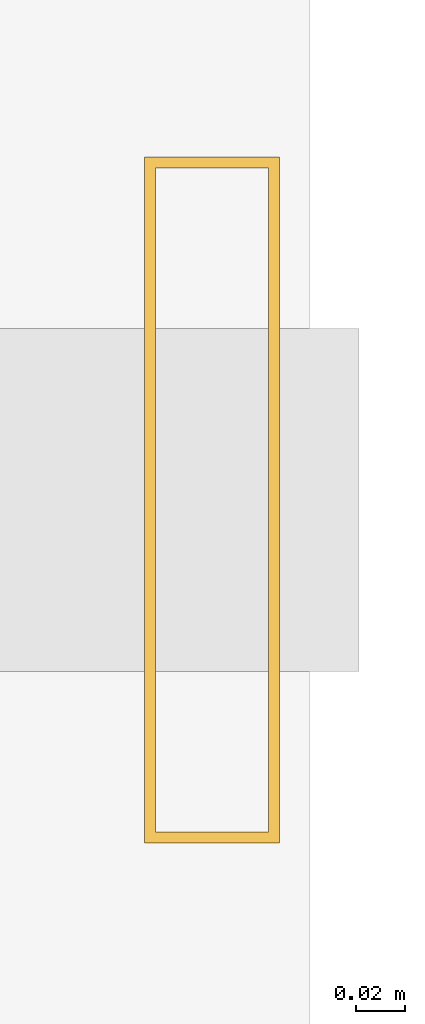
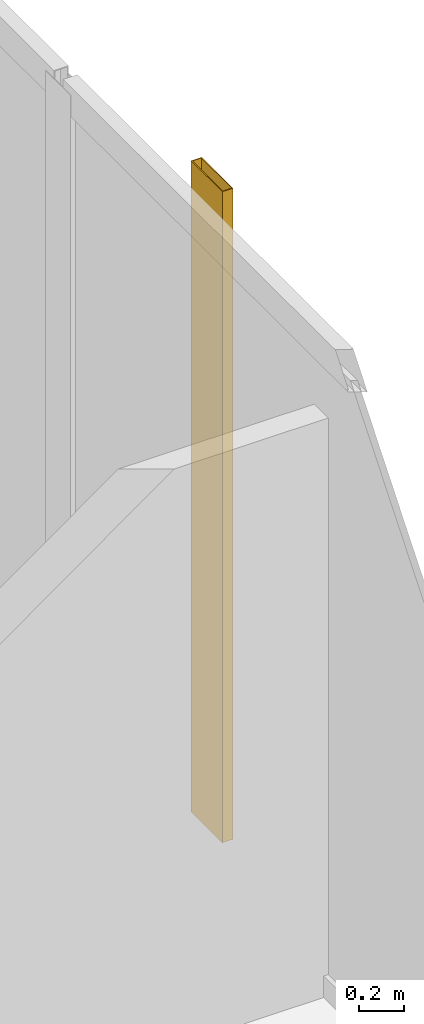
# One storey, part 23 of 23: 1 shading device.
"""IFC4 building model written with IfcOpenShell, lengths in metres."""

from ifc_helpers import new_model, si_unit, direction, frame, origin, origin_2d, place, context, subcontext, project, spatial, hollow_rectangle, extrude, material, material_profile, profile_set, type_object, element, save


model = new_model("IFC4")

# Units and contexts
model_context = context("Model", 3, precision=1e-05, world=origin(), true_north=direction((0.0, 1.0)))
body_context = subcontext(model_context, "Body", "Model", "MODEL_VIEW")
ifc_project = project(units=[si_unit("LENGTHUNIT", "METRE"), si_unit("AREAUNIT", "SQUARE_METRE"), si_unit("VOLUMEUNIT", "CUBIC_METRE"), si_unit("PLANEANGLEUNIT", "RADIAN"), si_unit("MASSUNIT", "GRAM", prefix="KILO")], contexts=[model_context])

# Site, building, storey
site_placement = place(None, origin())
site = spatial("IfcSite", under=ifc_project, at=site_placement, CompositionType="ELEMENT")
building_placement = place(site_placement, origin())
building = spatial("IfcBuilding", under=site, at=building_placement, Name="Kolvaren Waterfront Exchange", CompositionType="ELEMENT")
storey_placement = place(building_placement, frame((0.0, 0.0, 231.10009765625)))
storey = spatial("IfcBuildingStorey", under=building, at=storey_placement, Name="L59", CompositionType="ELEMENT", Elevation=231.10009765625)

# Shading device
ifc_material = material(Name="Anodised bronze aluminium 6063-T6", Category="aluminium")
ifc_material_profile = material_profile(ifc_material, hollow_rectangle(XDim=0.054931640625, YDim=0.280029296875, WallThickness=0.00439453125, at=origin_2d()), Name="BRZ-FIN-280x55x4.5")
ifc_profile_set = profile_set([ifc_material_profile], Name="Anodised bronze aluminium 6063-T6")
shading_device_type = type_object("IfcShadingDeviceType", Name="ARC-FIN-280", PredefinedType="USERDEFINED", material=ifc_profile_set)
shading_device_placement = place(storey_placement, frame((21.360107421875, 38.800048828125, 0.0), z_axis=(0.0, 0.0, 1.0), x_axis=(1.0, 0.0, 0.0)))
element("IfcShadingDevice", 1, at=shading_device_placement, inside=storey, type_object=shading_device_type, Name="L59 anodised bronze solar shading fin FIN-L59-E3", ObjectType="SOLAR FIN", PredefinedType="USERDEFINED", context=body_context, shape_type="SweptSolid", body=[
    extrude(hollow_rectangle(XDim=0.054931640625, YDim=0.280029296875, WallThickness=0.00439453125, at=origin_2d()), origin(), (0.0, 0.0, 1.0), 3.559814453125),
])

save(model, "model.ifc")
